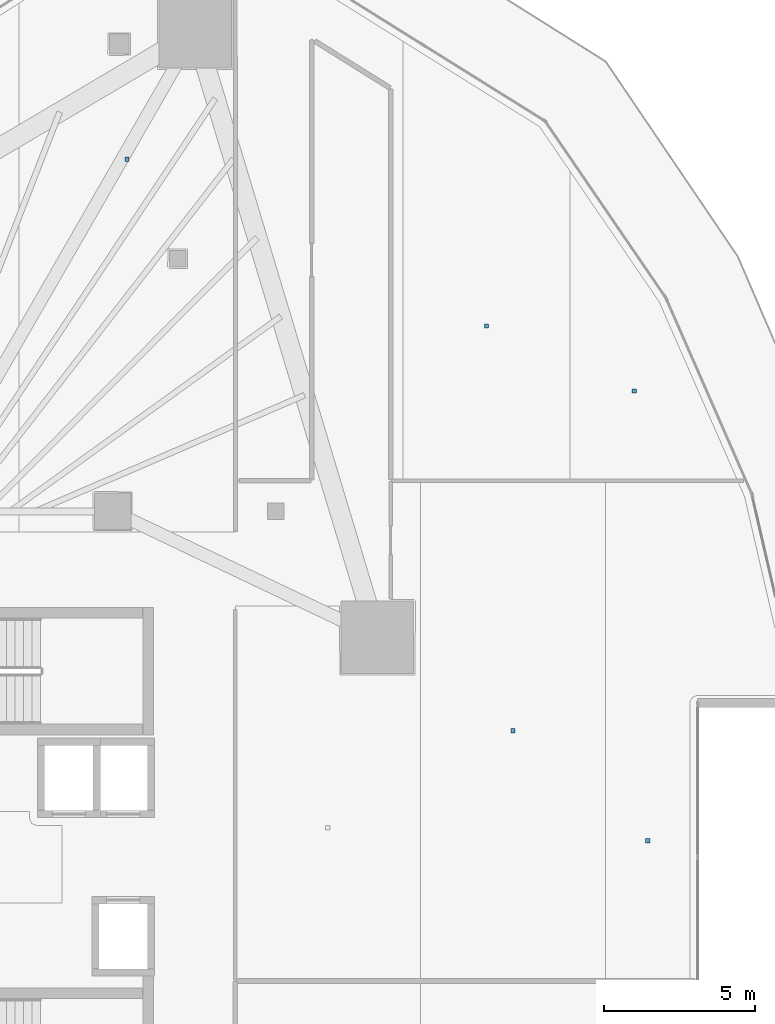
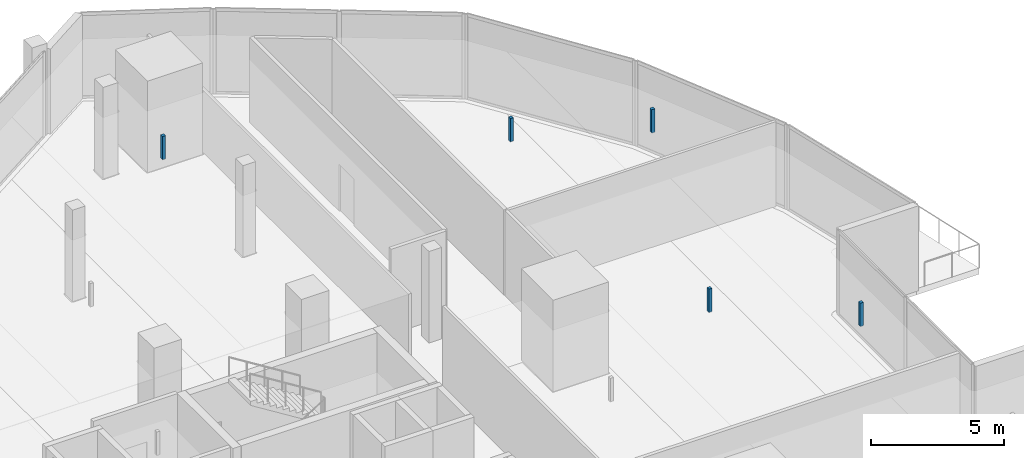
# One storey, part 35 of 45: 5 discrete accessories.
"""IFC4 building model written with IfcOpenShell, lengths in metres."""

from ifc_helpers import new_model, si_unit, direction, frame, origin, origin_2d, place, context, subcontext, project, spatial, rectangle, extrude, material, type_object, element, save


model = new_model("IFC4")

# Units and contexts
model_context = context("Model", 3, precision=1e-05, world=origin(), true_north=direction((0.0, 1.0)))
body_context = subcontext(model_context, "Body", "Model", "MODEL_VIEW")
ifc_project = project(units=[si_unit("LENGTHUNIT", "METRE"), si_unit("AREAUNIT", "SQUARE_METRE"), si_unit("VOLUMEUNIT", "CUBIC_METRE"), si_unit("PLANEANGLEUNIT", "RADIAN"), si_unit("MASSUNIT", "GRAM", prefix="KILO")], contexts=[model_context])

# Site, building, storey
site_placement = place(None, origin())
site = spatial("IfcSite", under=ifc_project, at=site_placement, CompositionType="ELEMENT")
building_placement = place(site_placement, origin())
building = spatial("IfcBuilding", under=site, at=building_placement, Name="Qorvath Tower", CompositionType="ELEMENT")
storey_placement = place(building_placement, frame((0.0, 0.0, 95.39990234375)))
storey = spatial("IfcBuildingStorey", under=building, at=storey_placement, Name="L21", CompositionType="ELEMENT", Elevation=95.39990234375)

# Discrete accessories
ifc_material = material(Name="Galvanised steel bracket", Category="steel")
discrete_accessory_type = type_object("IfcDiscreteAccessoryType", Name="DA-BRACKET", PredefinedType="BRACKET", material=ifc_material)
for number, where, z_axis, x_axis, name in (
    (1, (-16.722412109375, 23.11181640625, 2.85986328125), (0.0, 0.0, 1.0), (1.0, 0.0, 0.0), "Acoustic Ceiling Suspension Hanger T1-L21-011"),
    (2, (-3.943359375, 4.1845703125, 2.85986328125), (0.0, 0.0, 1.0), (1.0, 0.0, 0.0), "Acoustic Ceiling Suspension Hanger T1-L21-019"),
    (3, (0.52197265625, 0.5400390625, 2.85986328125), (0.0, 0.0, 1.0), (1.0, 0.0, 0.0), "Acoustic Ceiling Suspension Hanger T1-L21-020"),
    (4, (-4.816162109375, 17.59130859375, 2.85986328125), (0.0, 0.0, 1.0), (1.0, 0.0, 0.0), "Acoustic Ceiling Suspension Hanger T1-L21-022"),
    (5, (0.074462890625, 15.435546875, 2.85986328125), (0.0, 0.0, 1.0), (1.0, 0.0, 0.0), "Acoustic Ceiling Suspension Hanger T1-L21-023"),
):
    element("IfcDiscreteAccessory", number, at=place(storey_placement, frame(where, z_axis=z_axis, x_axis=x_axis)), inside=storey, type_object=discrete_accessory_type, Name=name, PredefinedType="NOTDEFINED", context=body_context, shape_type="SweptSolid", body=[
        extrude(rectangle(XDim=0.139892578125, YDim=0.139892578125, at=origin_2d()), origin(), (0.0, 0.0, 1.0), 1.070068359375),
    ])

save(model, "model.ifc")
